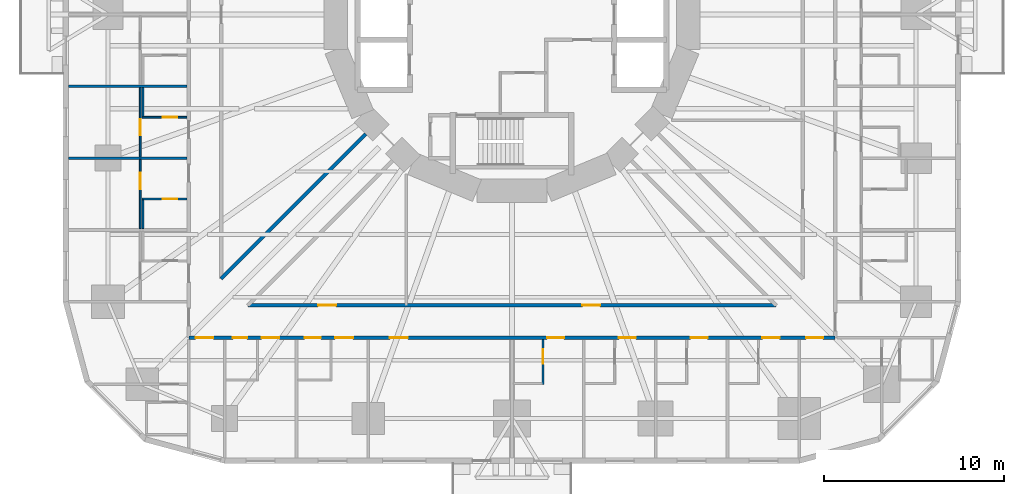
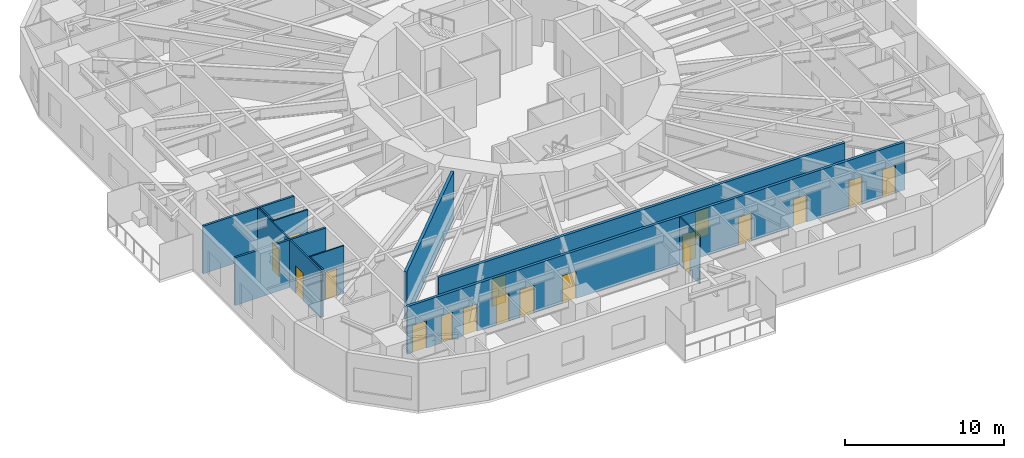
# One storey, part 5 of 14: 18 doors, 12 walls, 18 openings.
"""IFC4 building model written with IfcOpenShell, lengths in metres."""

from ifc_helpers import new_model, si_unit, direction, frame, frame_2d, origin, place, context, subcontext, project, spatial, rectangle, extrude, material, layer, layer_set, type_object, element, fill, save


model = new_model("IFC4")

# Units and contexts
model_context = context("Model", 3, precision=1e-05, world=origin(), true_north=direction((0.0, 1.0)))
body_context = subcontext(model_context, "Body", "Model", "MODEL_VIEW")
ifc_project = project(units=[si_unit("LENGTHUNIT", "METRE"), si_unit("AREAUNIT", "SQUARE_METRE"), si_unit("VOLUMEUNIT", "CUBIC_METRE"), si_unit("PLANEANGLEUNIT", "RADIAN"), si_unit("MASSUNIT", "GRAM", prefix="KILO")], contexts=[model_context])

# Site, building, storey
site_placement = place(None, origin())
site = spatial("IfcSite", under=ifc_project, at=site_placement, CompositionType="ELEMENT")
building_placement = place(site_placement, origin())
building = spatial("IfcBuilding", under=site, at=building_placement, Name="Nakasero Lantern House", CompositionType="ELEMENT")
storey_placement = place(building_placement, frame((0.0, 0.0, 42.949951171875)))
storey = spatial("IfcBuildingStorey", under=building, at=storey_placement, Name="L10", CompositionType="ELEMENT", Elevation=42.949951171875)

# Wall, openings, doors
ifc_material_1 = material(Name="Blockwork", Category="masonry")
ifc_layer_1 = layer(ifc_material_1, 0.199951171875)
ifc_layer_set_1 = layer_set([ifc_layer_1], Name="Corridor wall 200")
wall_type_1 = type_object("IfcWallType", Name="Corridor wall 200", PredefinedType="PARTITIONING", material=ifc_layer_set_1)
wall_1_placement = place(storey_placement, frame((-18.0, -18.0, 0.0), z_axis=(0.0, 0.0, 1.0), x_axis=(1.0, 0.0, 0.0)))
wall_1 = element("IfcWall", 1, at=wall_1_placement, inside=storey, type_object=wall_type_1, Name="Corridor wall L10 CW3", PredefinedType="PARTITIONING", context=body_context, shape_type="SweptSolid", body=[
    extrude(rectangle(XDim=36.0, YDim=0.199951171875, at=frame_2d((18.0, 0.0))), origin(), (0.0, 0.0, 1.0), 3.650146484375),
])
opening_1_placement = place(wall_1_placement, frame((0.375, 0.0, 0.0)))
opening_1 = element("IfcOpeningElement", 2, at=opening_1_placement, cuts=wall_1, Name="Opening D07", PredefinedType="OPENING", context=body_context, shape_type="SweptSolid", body=[
    extrude(rectangle(XDim=1.0, YDim=2.10009765625, at=frame_2d((0.5, 1.050048828125))), frame((0.0, 0.119873046875, 0.0), z_axis=(0.0, -1.0, 0.0), x_axis=(1.0, 0.0, 0.0)), (0.0, 0.0, 1.0), 0.239990234375),
])
opening_2_placement = place(wall_1_placement, frame((2.449951171875, 0.0, 0.0)))
opening_2 = element("IfcOpeningElement", 3, at=opening_2_placement, cuts=wall_1, Name="Opening D15", PredefinedType="OPENING", context=body_context, shape_type="SweptSolid", body=[
    extrude(rectangle(XDim=0.800048828125, YDim=2.10009765625, at=frame_2d((0.39990234375, 1.050048828125))), frame((0.0, 0.119873046875, 0.0), z_axis=(0.0, -1.0, 0.0), x_axis=(1.0, 0.0, 0.0)), (0.0, 0.0, 1.0), 0.239990234375),
])
opening_3_placement = place(wall_1_placement, frame((4.050048828125, 0.0, 0.0)))
opening_3 = element("IfcOpeningElement", 4, at=opening_3_placement, cuts=wall_1, Name="Opening D07", PredefinedType="OPENING", context=body_context, shape_type="SweptSolid", body=[
    extrude(rectangle(XDim=1.0, YDim=2.10009765625, at=frame_2d((0.5, 1.050048828125))), frame((0.0, 0.119873046875, 0.0), z_axis=(0.0, -1.0, 0.0), x_axis=(1.0, 0.0, 0.0)), (0.0, 0.0, 1.0), 0.239990234375),
])
opening_4_placement = place(wall_1_placement, frame((6.449951171875, 0.0, 0.0)))
opening_4 = element("IfcOpeningElement", 5, at=opening_4_placement, cuts=wall_1, Name="Opening D16", PredefinedType="OPENING", context=body_context, shape_type="SweptSolid", body=[
    extrude(rectangle(XDim=0.89990234375, YDim=2.10009765625, at=frame_2d((0.449951171875, 1.050048828125))), frame((0.0, 0.119873046875, 0.0), z_axis=(0.0, -1.0, 0.0), x_axis=(1.0, 0.0, 0.0)), (0.0, 0.0, 1.0), 0.239990234375),
])
opening_5_placement = place(wall_1_placement, frame((8.14990234375, 0.0, 0.0)))
opening_5 = element("IfcOpeningElement", 6, at=opening_5_placement, cuts=wall_1, Name="Opening D07", PredefinedType="OPENING", context=body_context, shape_type="SweptSolid", body=[
    extrude(rectangle(XDim=1.0, YDim=2.10009765625, at=frame_2d((0.5, 1.050048828125))), frame((0.0, 0.119873046875, 0.0), z_axis=(0.0, -1.0, 0.0), x_axis=(1.0, 0.0, 0.0)), (0.0, 0.0, 1.0), 0.239990234375),
])
opening_6_placement = place(wall_1_placement, frame((19.949951171875, 0.0, 0.0)))
opening_6 = element("IfcOpeningElement", 7, at=opening_6_placement, cuts=wall_1, Name="Opening D01", PredefinedType="OPENING", context=body_context, shape_type="SweptSolid", body=[
    extrude(rectangle(XDim=0.949951171875, YDim=2.10009765625, at=frame_2d((0.47509765625, 1.050048828125))), frame((0.0, 0.119873046875, 0.0), z_axis=(0.0, -1.0, 0.0), x_axis=(1.0, 0.0, 0.0)), (0.0, 0.0, 1.0), 0.239990234375),
])
opening_7_placement = place(wall_1_placement, frame((23.949951171875, 0.0, 0.0)))
opening_7 = element("IfcOpeningElement", 8, at=opening_7_placement, cuts=wall_1, Name="Opening D01", PredefinedType="OPENING", context=body_context, shape_type="SweptSolid", body=[
    extrude(rectangle(XDim=0.949951171875, YDim=2.10009765625, at=frame_2d((0.47509765625, 1.050048828125))), frame((0.0, 0.119873046875, 0.0), z_axis=(0.0, -1.0, 0.0), x_axis=(1.0, 0.0, 0.0)), (0.0, 0.0, 1.0), 0.239990234375),
])
opening_8_placement = place(wall_1_placement, frame((27.949951171875, 0.0, 0.0)))
opening_8 = element("IfcOpeningElement", 9, at=opening_8_placement, cuts=wall_1, Name="Opening D01", PredefinedType="OPENING", context=body_context, shape_type="SweptSolid", body=[
    extrude(rectangle(XDim=0.949951171875, YDim=2.10009765625, at=frame_2d((0.47509765625, 1.050048828125))), frame((0.0, 0.119873046875, 0.0), z_axis=(0.0, -1.0, 0.0), x_axis=(1.0, 0.0, 0.0)), (0.0, 0.0, 1.0), 0.239990234375),
])
opening_9_placement = place(wall_1_placement, frame((31.949951171875, 0.0, 0.0)))
opening_9 = element("IfcOpeningElement", 10, at=opening_9_placement, cuts=wall_1, Name="Opening D01", PredefinedType="OPENING", context=body_context, shape_type="SweptSolid", body=[
    extrude(rectangle(XDim=0.949951171875, YDim=2.10009765625, at=frame_2d((0.47509765625, 1.050048828125))), frame((0.0, 0.119873046875, 0.0), z_axis=(0.0, -1.0, 0.0), x_axis=(1.0, 0.0, 0.0)), (0.0, 0.0, 1.0), 0.239990234375),
])
opening_10_placement = place(wall_1_placement, frame((34.375, 0.0, 0.0)))
opening_10 = element("IfcOpeningElement", 11, at=opening_10_placement, cuts=wall_1, Name="Opening D01", PredefinedType="OPENING", context=body_context, shape_type="SweptSolid", body=[
    extrude(rectangle(XDim=0.949951171875, YDim=2.10009765625, at=frame_2d((0.47509765625, 1.050048828125))), frame((0.0, 0.119873046875, 0.0), z_axis=(0.0, -1.0, 0.0), x_axis=(1.0, 0.0, 0.0)), (0.0, 0.0, 1.0), 0.239990234375),
])
opening_11_placement = place(wall_1_placement, frame((11.199951171875, 0.0, 0.0)))
opening_11 = element("IfcOpeningElement", 12, at=opening_11_placement, cuts=wall_1, Name="Opening D03", PredefinedType="OPENING", context=body_context, shape_type="SweptSolid", body=[
    extrude(rectangle(XDim=1.0, YDim=2.10009765625, at=frame_2d((0.5, 1.050048828125))), frame((0.0, 0.119873046875, 0.0), z_axis=(0.0, -1.0, 0.0), x_axis=(1.0, 0.0, 0.0)), (0.0, 0.0, 1.0), 0.239990234375),
])
ifc_material_2 = material(Name="Timber C24", Category="wood")
door_type_1 = type_object("IfcDoorType", Name="Accessible WC door 900", OperationType="SINGLE_SWING_RIGHT", PredefinedType="DOOR", material=ifc_material_2)
door_1_placement = place(opening_4_placement, origin())
door_1 = element("IfcDoor", 13, at=door_1_placement, inside=storey, type_object=door_type_1, Name="Door L10 DS3-02", OperationType="SINGLE_SWING_LEFT", OverallHeight=2.10009765625, OverallWidth=0.89990234375, PredefinedType="DOOR", context=body_context, shape_type="SweptSolid", body=[
    extrude(rectangle(XDim=0.89990234375, YDim=2.10009765625, at=frame_2d((0.449951171875, 1.050048828125))), frame((0.0, 0.02490234375, 0.0), z_axis=(0.0, -1.0, 0.0), x_axis=(1.0, 0.0, 0.0)), (0.0, 0.0, 1.0), 0.050048828125),
])
fill(opening_4, door_1)
ifc_material_3 = material(Name="Timber C24", Category="wood")
door_type_2 = type_object("IfcDoorType", Name="Bedroom door FD30S 950", OperationType="SINGLE_SWING_LEFT", PredefinedType="DOOR", material=ifc_material_3)
door_2_placement = place(opening_6_placement, origin())
door_2 = element("IfcDoor", 14, at=door_2_placement, inside=storey, type_object=door_type_2, Name="Door L10 D3-05", OperationType="SINGLE_SWING_RIGHT", OverallHeight=2.10009765625, OverallWidth=0.949951171875, PredefinedType="DOOR", context=body_context, shape_type="SweptSolid", body=[
    extrude(rectangle(XDim=0.949951171875, YDim=2.10009765625, at=frame_2d((0.47509765625, 1.050048828125))), frame((0.0, 0.02490234375, 0.0), z_axis=(0.0, -1.0, 0.0), x_axis=(1.0, 0.0, 0.0)), (0.0, 0.0, 1.0), 0.050048828125),
])
fill(opening_6, door_2)
door_3_placement = place(opening_7_placement, origin())
door_3 = element("IfcDoor", 15, at=door_3_placement, inside=storey, type_object=door_type_2, Name="Door L10 D3-06", OperationType="SINGLE_SWING_RIGHT", OverallHeight=2.10009765625, OverallWidth=0.949951171875, PredefinedType="DOOR", context=body_context, shape_type="SweptSolid", body=[
    extrude(rectangle(XDim=0.949951171875, YDim=2.10009765625, at=frame_2d((0.47509765625, 1.050048828125))), frame((0.0, 0.02490234375, 0.0), z_axis=(0.0, -1.0, 0.0), x_axis=(1.0, 0.0, 0.0)), (0.0, 0.0, 1.0), 0.050048828125),
])
fill(opening_7, door_3)
door_4_placement = place(opening_8_placement, origin())
door_4 = element("IfcDoor", 16, at=door_4_placement, inside=storey, type_object=door_type_2, Name="Door L10 D3-07", OperationType="SINGLE_SWING_RIGHT", OverallHeight=2.10009765625, OverallWidth=0.949951171875, PredefinedType="DOOR", context=body_context, shape_type="SweptSolid", body=[
    extrude(rectangle(XDim=0.949951171875, YDim=2.10009765625, at=frame_2d((0.47509765625, 1.050048828125))), frame((0.0, 0.02490234375, 0.0), z_axis=(0.0, -1.0, 0.0), x_axis=(1.0, 0.0, 0.0)), (0.0, 0.0, 1.0), 0.050048828125),
])
fill(opening_8, door_4)
door_5_placement = place(opening_9_placement, origin())
door_5 = element("IfcDoor", 17, at=door_5_placement, inside=storey, type_object=door_type_2, Name="Door L10 D3-08", OperationType="SINGLE_SWING_RIGHT", OverallHeight=2.10009765625, OverallWidth=0.949951171875, PredefinedType="DOOR", context=body_context, shape_type="SweptSolid", body=[
    extrude(rectangle(XDim=0.949951171875, YDim=2.10009765625, at=frame_2d((0.47509765625, 1.050048828125))), frame((0.0, 0.02490234375, 0.0), z_axis=(0.0, -1.0, 0.0), x_axis=(1.0, 0.0, 0.0)), (0.0, 0.0, 1.0), 0.050048828125),
])
fill(opening_9, door_5)
door_6_placement = place(opening_10_placement, origin())
door_6 = element("IfcDoor", 18, at=door_6_placement, inside=storey, type_object=door_type_2, Name="Door L10 D3-09", OperationType="SINGLE_SWING_RIGHT", OverallHeight=2.10009765625, OverallWidth=0.949951171875, PredefinedType="DOOR", context=body_context, shape_type="SweptSolid", body=[
    extrude(rectangle(XDim=0.949951171875, YDim=2.10009765625, at=frame_2d((0.47509765625, 1.050048828125))), frame((0.0, 0.02490234375, 0.0), z_axis=(0.0, -1.0, 0.0), x_axis=(1.0, 0.0, 0.0)), (0.0, 0.0, 1.0), 0.050048828125),
])
fill(opening_10, door_6)
ifc_material_4 = material(Name="Timber C24", Category="wood")
door_type_3 = type_object("IfcDoorType", Name="Cleaner's store door FD30S 800", OperationType="SINGLE_SWING_LEFT", PredefinedType="DOOR", material=ifc_material_4)
door_7_placement = place(opening_2_placement, origin())
door_7 = element("IfcDoor", 19, at=door_7_placement, inside=storey, type_object=door_type_3, Name="Door L10 DS3-01", OperationType="SINGLE_SWING_LEFT", OverallHeight=2.10009765625, OverallWidth=0.800048828125, PredefinedType="DOOR", context=body_context, shape_type="SweptSolid", body=[
    extrude(rectangle(XDim=0.800048828125, YDim=2.10009765625, at=frame_2d((0.39990234375, 1.050048828125))), frame((0.0, 0.02490234375, 0.0), z_axis=(0.0, -1.0, 0.0), x_axis=(1.0, 0.0, 0.0)), (0.0, 0.0, 1.0), 0.050048828125),
])
fill(opening_2, door_7)
ifc_material_5 = material(Name="Timber C24", Category="wood")
door_type_4 = type_object("IfcDoorType", Name="Lounge door FD30S 1000", OperationType="SINGLE_SWING_LEFT", PredefinedType="DOOR", material=ifc_material_5)
door_8_placement = place(opening_11_placement, origin())
door_8 = element("IfcDoor", 20, at=door_8_placement, inside=storey, type_object=door_type_4, Name="Door L10 DK3", OperationType="SINGLE_SWING_LEFT", OverallHeight=2.10009765625, OverallWidth=1.0, PredefinedType="DOOR", context=body_context, shape_type="SweptSolid", body=[
    extrude(rectangle(XDim=1.0, YDim=2.10009765625, at=frame_2d((0.5, 1.050048828125))), frame((0.0, 0.02490234375, 0.0), z_axis=(0.0, -1.0, 0.0), x_axis=(1.0, 0.0, 0.0)), (0.0, 0.0, 1.0), 0.050048828125),
])
fill(opening_11, door_8)
ifc_material_6 = material(Name="Timber C24", Category="wood")
door_type_5 = type_object("IfcDoorType", Name="Room door FD30S 1000", OperationType="SINGLE_SWING_LEFT", PredefinedType="DOOR", material=ifc_material_6)
door_9_placement = place(opening_1_placement, origin())
door_9 = element("IfcDoor", 21, at=door_9_placement, inside=storey, type_object=door_type_5, Name="Door L10 D3-00", OperationType="SINGLE_SWING_LEFT", OverallHeight=2.10009765625, OverallWidth=1.0, PredefinedType="DOOR", context=body_context, shape_type="SweptSolid", body=[
    extrude(rectangle(XDim=1.0, YDim=2.10009765625, at=frame_2d((0.5, 1.050048828125))), frame((0.0, 0.02490234375, 0.0), z_axis=(0.0, -1.0, 0.0), x_axis=(1.0, 0.0, 0.0)), (0.0, 0.0, 1.0), 0.050048828125),
])
fill(opening_1, door_9)
door_10_placement = place(opening_3_placement, origin())
door_10 = element("IfcDoor", 22, at=door_10_placement, inside=storey, type_object=door_type_5, Name="Door L10 D3-01", OperationType="SINGLE_SWING_LEFT", OverallHeight=2.10009765625, OverallWidth=1.0, PredefinedType="DOOR", context=body_context, shape_type="SweptSolid", body=[
    extrude(rectangle(XDim=1.0, YDim=2.10009765625, at=frame_2d((0.5, 1.050048828125))), frame((0.0, 0.02490234375, 0.0), z_axis=(0.0, -1.0, 0.0), x_axis=(1.0, 0.0, 0.0)), (0.0, 0.0, 1.0), 0.050048828125),
])
fill(opening_3, door_10)
door_11_placement = place(opening_5_placement, origin())
door_11 = element("IfcDoor", 23, at=door_11_placement, inside=storey, type_object=door_type_5, Name="Door L10 D3-02", OperationType="SINGLE_SWING_LEFT", OverallHeight=2.10009765625, OverallWidth=1.0, PredefinedType="DOOR", context=body_context, shape_type="SweptSolid", body=[
    extrude(rectangle(XDim=1.0, YDim=2.10009765625, at=frame_2d((0.5, 1.050048828125))), frame((0.0, 0.02490234375, 0.0), z_axis=(0.0, -1.0, 0.0), x_axis=(1.0, 0.0, 0.0)), (0.0, 0.0, 1.0), 0.050048828125),
])
fill(opening_5, door_11)

wall_2_placement = place(storey_placement, frame((-14.715087890625, -16.199951171875, 0.0), z_axis=(0.0, 0.0, 1.0), x_axis=(1.0, 0.0, 0.0)))
wall_2 = element("IfcWall", 24, at=wall_2_placement, inside=storey, type_object=wall_type_1, Name="Corridor wall L10 IW3-0", PredefinedType="PARTITIONING", context=body_context, shape_type="SweptSolid", body=[
    extrude(rectangle(XDim=29.43017578125, YDim=0.199951171875, at=frame_2d((14.715087890625, 0.0))), origin(), (0.0, 0.0, 1.0), 3.650146484375),
])
opening_12_placement = place(wall_2_placement, frame((3.91455078125, 0.0, 0.0)))
opening_12 = element("IfcOpeningElement", 25, at=opening_12_placement, cuts=wall_2, Name="Opening D07", PredefinedType="OPENING", context=body_context, shape_type="SweptSolid", body=[
    extrude(rectangle(XDim=1.0, YDim=2.10009765625, at=frame_2d((0.5, 1.050048828125))), frame((0.0, 0.119873046875, 0.0), z_axis=(0.0, -1.0, 0.0), x_axis=(1.0, 0.0, 0.0)), (0.0, 0.0, 1.0), 0.239990234375),
])
opening_13_placement = place(wall_2_placement, frame((18.629638671875, 0.0, 0.0)))
opening_13 = element("IfcOpeningElement", 26, at=opening_13_placement, cuts=wall_2, Name="Opening D07", PredefinedType="OPENING", context=body_context, shape_type="SweptSolid", body=[
    extrude(rectangle(XDim=1.0, YDim=2.10009765625, at=frame_2d((0.5, 1.050048828125))), frame((0.0, 0.119873046875, 0.0), z_axis=(0.0, -1.0, 0.0), x_axis=(1.0, 0.0, 0.0)), (0.0, 0.0, 1.0), 0.239990234375),
])
door_12_placement = place(opening_12_placement, origin())
door_12 = element("IfcDoor", 27, at=door_12_placement, inside=storey, type_object=door_type_5, Name="Door L10 DI4", OperationType="SINGLE_SWING_LEFT", OverallHeight=2.10009765625, OverallWidth=1.0, PredefinedType="DOOR", context=body_context, shape_type="SweptSolid", body=[
    extrude(rectangle(XDim=1.0, YDim=2.10009765625, at=frame_2d((0.5, 1.050048828125))), frame((0.0, 0.02490234375, 0.0), z_axis=(0.0, -1.0, 0.0), x_axis=(1.0, 0.0, 0.0)), (0.0, 0.0, 1.0), 0.050048828125),
])
fill(opening_12, door_12)
door_13_placement = place(opening_13_placement, origin())
door_13 = element("IfcDoor", 28, at=door_13_placement, inside=storey, type_object=door_type_5, Name="Door L10 DI4S", OperationType="SINGLE_SWING_RIGHT", OverallHeight=2.10009765625, OverallWidth=1.0, PredefinedType="DOOR", context=body_context, shape_type="SweptSolid", body=[
    extrude(rectangle(XDim=1.0, YDim=2.10009765625, at=frame_2d((0.5, 1.050048828125))), frame((0.0, 0.02490234375, 0.0), z_axis=(0.0, -1.0, 0.0), x_axis=(1.0, 0.0, 0.0)), (0.0, 0.0, 1.0), 0.050048828125),
])
fill(opening_13, door_13)

# Wall
wall_3_placement = place(storey_placement, frame((-8.13720703125, -6.65234375, 0.0), z_axis=(0.0, 0.0, 1.0), x_axis=(-0.707106781187, -0.707106781187, 0.0)))
element("IfcWall", 29, at=wall_3_placement, inside=storey, type_object=wall_type_1, Name="Corridor wall L10 PS10b", PredefinedType="PARTITIONING", context=body_context, shape_type="SweptSolid", body=[
    extrude(rectangle(XDim=11.40234375, YDim=0.199951171875, at=frame_2d((5.701171875, 0.0))), origin(), (0.0, 0.0, 1.0), 3.650146484375),
])

# Wall, opening, door
ifc_material_7 = material(Name="Blockwork", Category="masonry")
ifc_layer_2 = layer(ifc_material_7, 0.10009765625)
ifc_layer_set_2 = layer_set([ifc_layer_2], Name="En-suite wall 100")
wall_type_2 = type_object("IfcWallType", Name="En-suite wall 100", PredefinedType="PARTITIONING", material=ifc_layer_set_2)
wall_4_placement = place(storey_placement, frame((-18.10009765625, -5.72509765625, 0.0), z_axis=(0.0, 0.0, 1.0), x_axis=(-1.0, 0.0, 0.0)))
wall_4 = element("IfcWall", 30, at=wall_4_placement, inside=storey, type_object=wall_type_2, Name="En-suite wall L10 ES2-06", PredefinedType="PARTITIONING", context=body_context, shape_type="SweptSolid", body=[
    extrude(rectangle(XDim=2.5, YDim=0.10009765625, at=frame_2d((1.25, 0.0))), origin(), (0.0, 0.0, 1.0), 3.650146484375),
])
opening_14_placement = place(wall_4_placement, frame((0.550048828125, 0.0, 0.0)))
opening_14 = element("IfcOpeningElement", 31, at=opening_14_placement, cuts=wall_4, Name="Opening D02", PredefinedType="OPENING", context=body_context, shape_type="SweptSolid", body=[
    extrude(rectangle(XDim=0.800048828125, YDim=2.10009765625, at=frame_2d((0.39990234375, 1.050048828125))), frame((0.0, 0.070068359375, 0.0), z_axis=(0.0, -1.0, 0.0), x_axis=(1.0, 0.0, 0.0)), (0.0, 0.0, 1.0), 0.14013671875),
])
ifc_material_8 = material(Name="Timber C24", Category="wood")
door_type_6 = type_object("IfcDoorType", Name="En-suite door 800", OperationType="SINGLE_SWING_RIGHT", PredefinedType="DOOR", material=ifc_material_8)
door_14_placement = place(opening_14_placement, origin())
door_14 = element("IfcDoor", 32, at=door_14_placement, inside=storey, type_object=door_type_6, Name="Door L10 DE2-06", OperationType="SINGLE_SWING_LEFT", OverallHeight=2.10009765625, OverallWidth=0.800048828125, PredefinedType="DOOR", context=body_context, shape_type="SweptSolid", body=[
    extrude(rectangle(XDim=0.800048828125, YDim=2.10009765625, at=frame_2d((0.39990234375, 1.050048828125))), frame((0.0, 0.02490234375, 0.0), z_axis=(0.0, -1.0, 0.0), x_axis=(1.0, 0.0, 0.0)), (0.0, 0.0, 1.0), 0.050048828125),
])
fill(opening_14, door_14)

# Wall
wall_5_placement = place(storey_placement, frame((-20.550048828125, -4.074951171875, 0.0), z_axis=(0.0, 0.0, 1.0), x_axis=(0.0, -1.0, 0.0)))
element("IfcWall", 33, at=wall_5_placement, inside=storey, type_object=wall_type_2, Name="En-suite wall L10 EE2-06", PredefinedType="PARTITIONING", context=body_context, shape_type="SweptSolid", body=[
    extrude(rectangle(XDim=1.60009765625, YDim=0.10009765625, at=frame_2d((0.800048828125, 0.0))), origin(), (0.0, 0.0, 1.0), 3.650146484375),
])

# Wall, opening, door
wall_6_placement = place(storey_placement, frame((-18.10009765625, -10.27490234375, 0.0), z_axis=(0.0, 0.0, 1.0), x_axis=(-1.0, 0.0, 0.0)))
wall_6 = element("IfcWall", 34, at=wall_6_placement, inside=storey, type_object=wall_type_2, Name="En-suite wall L10 ES2-07", PredefinedType="PARTITIONING", context=body_context, shape_type="SweptSolid", body=[
    extrude(rectangle(XDim=2.5, YDim=0.10009765625, at=frame_2d((1.25, 0.0))), origin(), (0.0, 0.0, 1.0), 3.650146484375),
])
opening_15_placement = place(wall_6_placement, frame((0.550048828125, 0.0, 0.0)))
opening_15 = element("IfcOpeningElement", 35, at=opening_15_placement, cuts=wall_6, Name="Opening D02", PredefinedType="OPENING", context=body_context, shape_type="SweptSolid", body=[
    extrude(rectangle(XDim=0.800048828125, YDim=2.10009765625, at=frame_2d((0.39990234375, 1.050048828125))), frame((0.0, 0.070068359375, 0.0), z_axis=(0.0, -1.0, 0.0), x_axis=(1.0, 0.0, 0.0)), (0.0, 0.0, 1.0), 0.14013671875),
])
door_15_placement = place(opening_15_placement, origin())
door_15 = element("IfcDoor", 36, at=door_15_placement, inside=storey, type_object=door_type_6, Name="Door L10 DE2-07", OperationType="SINGLE_SWING_LEFT", OverallHeight=2.10009765625, OverallWidth=0.800048828125, PredefinedType="DOOR", context=body_context, shape_type="SweptSolid", body=[
    extrude(rectangle(XDim=0.800048828125, YDim=2.10009765625, at=frame_2d((0.39990234375, 1.050048828125))), frame((0.0, 0.02490234375, 0.0), z_axis=(0.0, -1.0, 0.0), x_axis=(1.0, 0.0, 0.0)), (0.0, 0.0, 1.0), 0.050048828125),
])
fill(opening_15, door_15)

# Wall
wall_7_placement = place(storey_placement, frame((-20.550048828125, -10.324951171875, 0.0), z_axis=(0.0, 0.0, 1.0), x_axis=(0.0, -1.0, 0.0)))
element("IfcWall", 37, at=wall_7_placement, inside=storey, type_object=wall_type_2, Name="En-suite wall L10 EE2-07", PredefinedType="PARTITIONING", context=body_context, shape_type="SweptSolid", body=[
    extrude(rectangle(XDim=1.60009765625, YDim=0.10009765625, at=frame_2d((0.800048828125, 0.0))), origin(), (0.0, 0.0, 1.0), 3.650146484375),
])

# Wall, opening, door
wall_8_placement = place(storey_placement, frame((1.72509765625, -18.10009765625, 0.0), z_axis=(0.0, 0.0, 1.0), x_axis=(0.0, -1.0, 0.0)))
wall_8 = element("IfcWall", 38, at=wall_8_placement, inside=storey, type_object=wall_type_2, Name="En-suite wall L10 ES3-05", PredefinedType="PARTITIONING", context=body_context, shape_type="SweptSolid", body=[
    extrude(rectangle(XDim=2.5, YDim=0.10009765625, at=frame_2d((1.25, 0.0))), origin(), (0.0, 0.0, 1.0), 3.650146484375),
])
opening_16_placement = place(wall_8_placement, frame((0.550048828125, 0.0, 0.0)))
opening_16 = element("IfcOpeningElement", 39, at=opening_16_placement, cuts=wall_8, Name="Opening D02", PredefinedType="OPENING", context=body_context, shape_type="SweptSolid", body=[
    extrude(rectangle(XDim=0.800048828125, YDim=2.10009765625, at=frame_2d((0.39990234375, 1.050048828125))), frame((0.0, 0.070068359375, 0.0), z_axis=(0.0, -1.0, 0.0), x_axis=(1.0, 0.0, 0.0)), (0.0, 0.0, 1.0), 0.14013671875),
])
door_16_placement = place(opening_16_placement, origin())
door_16 = element("IfcDoor", 40, at=door_16_placement, inside=storey, type_object=door_type_6, Name="Door L10 DE3-05", OperationType="SINGLE_SWING_LEFT", OverallHeight=2.10009765625, OverallWidth=0.800048828125, PredefinedType="DOOR", context=body_context, shape_type="SweptSolid", body=[
    extrude(rectangle(XDim=0.800048828125, YDim=2.10009765625, at=frame_2d((0.39990234375, 1.050048828125))), frame((0.0, 0.02490234375, 0.0), z_axis=(0.0, -1.0, 0.0), x_axis=(1.0, 0.0, 0.0)), (0.0, 0.0, 1.0), 0.050048828125),
])
fill(opening_16, door_16)

wall_9_placement = place(storey_placement, frame((-20.699951171875, -4.074951171875, 0.0), z_axis=(0.0, 0.0, 1.0), x_axis=(0.0, -1.0, 0.0)))
wall_9 = element("IfcWall", 41, at=wall_9_placement, inside=storey, type_object=wall_type_2, Name="En-suite wall L10 EL2-06", PredefinedType="PARTITIONING", context=body_context, shape_type="SweptSolid", body=[
    extrude(rectangle(XDim=3.85009765625, YDim=0.10009765625, at=frame_2d((1.925048828125, 0.0))), origin(), (0.0, 0.0, 1.0), 3.650146484375),
])
opening_17_placement = place(wall_9_placement, frame((1.75, 0.0, 0.0)))
opening_17 = element("IfcOpeningElement", 42, at=opening_17_placement, cuts=wall_9, Name="Opening D17", PredefinedType="OPENING", context=body_context, shape_type="SweptSolid", body=[
    extrude(rectangle(XDim=0.89990234375, YDim=2.10009765625, at=frame_2d((0.449951171875, 1.050048828125))), frame((0.0, 0.070068359375, 0.0), z_axis=(0.0, -1.0, 0.0), x_axis=(1.0, 0.0, 0.0)), (0.0, 0.0, 1.0), 0.14013671875),
])
ifc_material_9 = material(Name="Timber C24", Category="wood")
door_type_7 = type_object("IfcDoorType", Name="Bedroom door FD30S 900", OperationType="SINGLE_SWING_LEFT", PredefinedType="DOOR", material=ifc_material_9)
door_17_placement = place(opening_17_placement, origin())
door_17 = element("IfcDoor", 43, at=door_17_placement, inside=storey, type_object=door_type_7, Name="Door L10 DL2-06", OperationType="SINGLE_SWING_RIGHT", OverallHeight=2.10009765625, OverallWidth=0.89990234375, PredefinedType="DOOR", context=body_context, shape_type="SweptSolid", body=[
    extrude(rectangle(XDim=0.89990234375, YDim=2.10009765625, at=frame_2d((0.449951171875, 1.050048828125))), frame((0.0, 0.02490234375, 0.0), z_axis=(0.0, -1.0, 0.0), x_axis=(1.0, 0.0, 0.0)), (0.0, 0.0, 1.0), 0.050048828125),
])
fill(opening_17, door_17)

wall_10_placement = place(storey_placement, frame((-20.699951171875, -8.074951171875, 0.0), z_axis=(0.0, 0.0, 1.0), x_axis=(0.0, -1.0, 0.0)))
wall_10 = element("IfcWall", 44, at=wall_10_placement, inside=storey, type_object=wall_type_2, Name="En-suite wall L10 EL2-07", PredefinedType="PARTITIONING", context=body_context, shape_type="SweptSolid", body=[
    extrude(rectangle(XDim=3.85009765625, YDim=0.10009765625, at=frame_2d((1.925048828125, 0.0))), origin(), (0.0, 0.0, 1.0), 3.650146484375),
])
opening_18_placement = place(wall_10_placement, frame((0.75, 0.0, 0.0)))
opening_18 = element("IfcOpeningElement", 45, at=opening_18_placement, cuts=wall_10, Name="Opening D17", PredefinedType="OPENING", context=body_context, shape_type="SweptSolid", body=[
    extrude(rectangle(XDim=0.89990234375, YDim=2.10009765625, at=frame_2d((0.449951171875, 1.050048828125))), frame((0.0, 0.070068359375, 0.0), z_axis=(0.0, -1.0, 0.0), x_axis=(1.0, 0.0, 0.0)), (0.0, 0.0, 1.0), 0.14013671875),
])
door_18_placement = place(opening_18_placement, origin())
door_18 = element("IfcDoor", 46, at=door_18_placement, inside=storey, type_object=door_type_7, Name="Door L10 DL2-07", OperationType="SINGLE_SWING_LEFT", OverallHeight=2.10009765625, OverallWidth=0.89990234375, PredefinedType="DOOR", context=body_context, shape_type="SweptSolid", body=[
    extrude(rectangle(XDim=0.89990234375, YDim=2.10009765625, at=frame_2d((0.449951171875, 1.050048828125))), frame((0.0, 0.02490234375, 0.0), z_axis=(0.0, -1.0, 0.0), x_axis=(1.0, 0.0, 0.0)), (0.0, 0.0, 1.0), 0.050048828125),
])
fill(opening_18, door_18)

# Walls
ifc_material_10 = material(Name="Blockwork", Category="masonry")
ifc_layer_3 = layer(ifc_material_10, 0.14990234375)
ifc_layer_set_3 = layer_set([ifc_layer_3], Name="Party wall 150")
wall_type_3 = type_object("IfcWallType", Name="Party wall 150", PredefinedType="PARTITIONING", material=ifc_layer_set_3)
for number, where, z_axis, x_axis, name in (
    (47, (-18.10009765625, -4.0, 0.0), (0.0, 0.0, 1.0), (-1.0, 0.0, 0.0), "Party wall L10 PW2-06"),
    (48, (-18.10009765625, -8.0, 0.0), (0.0, 0.0, 1.0), (-1.0, 0.0, 0.0), "Party wall L10 PW2-07"),
):
    element("IfcWall", number, at=place(storey_placement, frame(where, z_axis=z_axis, x_axis=x_axis)), inside=storey, type_object=wall_type_3, Name=name, PredefinedType="PARTITIONING", context=body_context, shape_type="SweptSolid", body=[
        extrude(rectangle(XDim=6.599853515625, YDim=0.14990234375, at=frame_2d((3.2998046875, 0.0))), origin(), (0.0, 0.0, 1.0), 3.650146484375),
    ])

save(model, "model.ifc")
